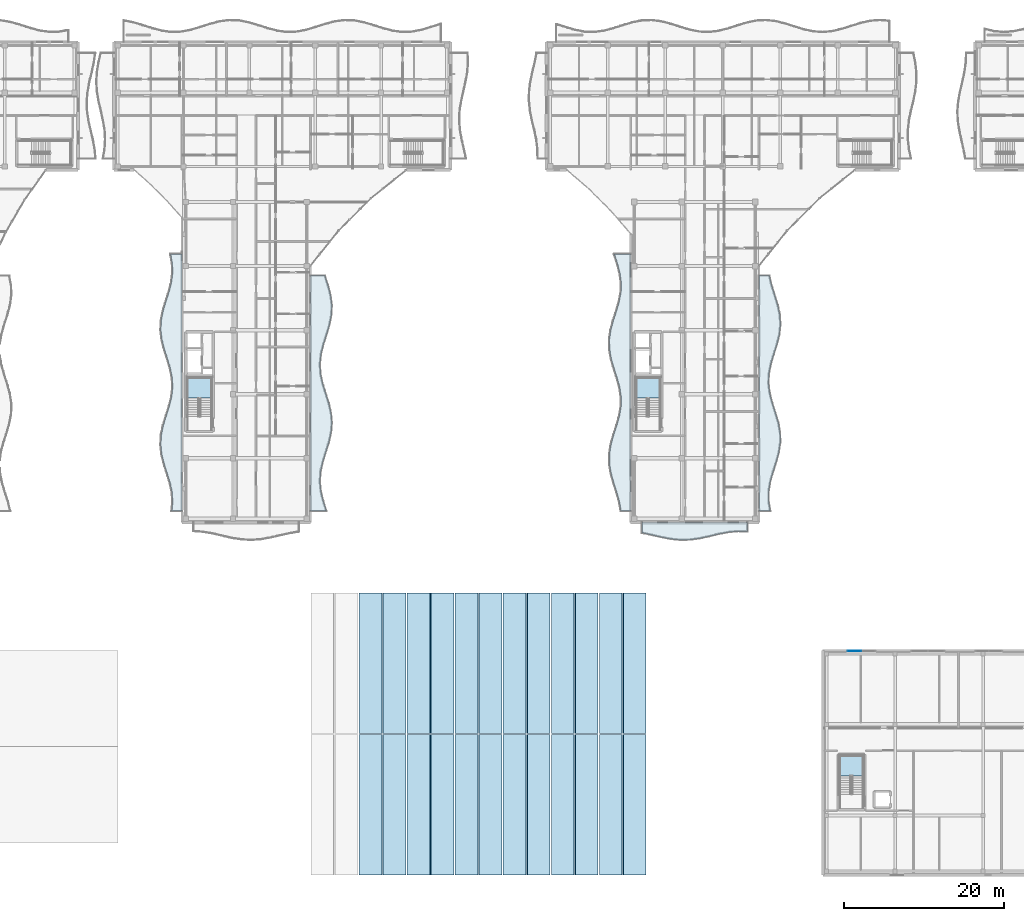
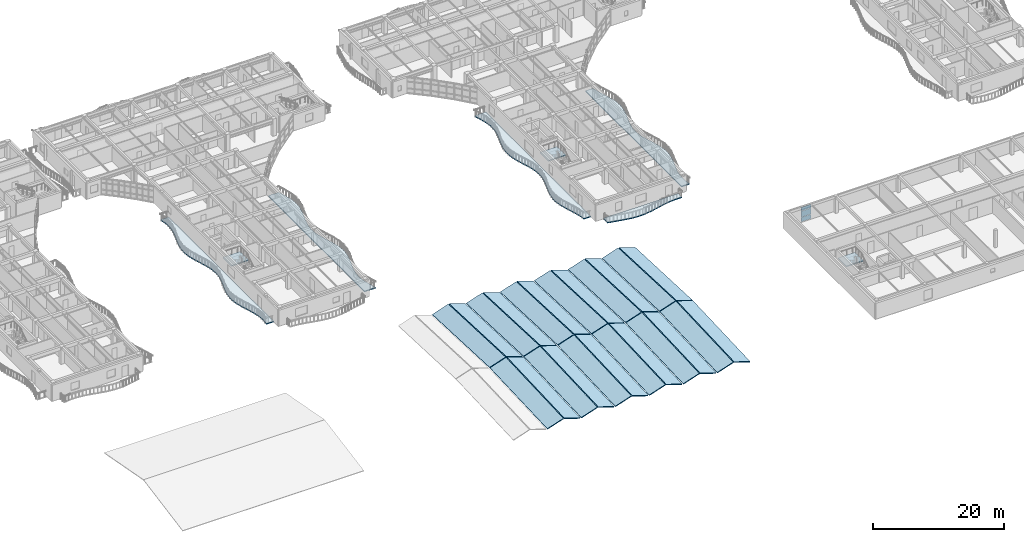
# One storey, part 37 of 89: 32 slabs, 3 plates, 5 elements without a shape of their own.
"""IFC4 building model written with IfcOpenShell, lengths in metres."""

from ifc_helpers import new_model, si_unit, direction, frame, origin, origin_2d, place, context, subcontext, project, spatial, polyline, rectangle, outline, extrude, material, layer, layer_set, type_object, element, aggregate, save


model = new_model("IFC4")

# Units and contexts
model_context = context("Model", 3, precision=1e-05, world=origin(), true_north=direction((0.0, 1.0)))
body_context = subcontext(model_context, "Body", "Model", "MODEL_VIEW")
ifc_project = project(units=[si_unit("LENGTHUNIT", "METRE"), si_unit("AREAUNIT", "SQUARE_METRE"), si_unit("VOLUMEUNIT", "CUBIC_METRE"), si_unit("PLANEANGLEUNIT", "RADIAN"), si_unit("MASSUNIT", "GRAM", prefix="KILO")], contexts=[model_context])

# Site, building, storey
site_placement = place(None, origin())
site = spatial("IfcSite", under=ifc_project, at=site_placement, CompositionType="ELEMENT")
building_placement = place(site_placement, origin())
building = spatial("IfcBuilding", under=site, at=building_placement, Name="Keldmere Railside Commons", CompositionType="ELEMENT")
storey_placement = place(building_placement, frame((0.0, 0.0, 7.360107421875)))
storey = spatial("IfcBuildingStorey", under=building, at=storey_placement, Name="L02", CompositionType="ELEMENT", Elevation=7.360107421875)

# Stair, slab
ifc_material_1 = material(Name="Concrete H-30 (C30/37)", Category="concrete")
stair_type_1 = type_object("IfcStairType", Name="Market Arcade Public Dogleg Stair 1420", PredefinedType="HALF_TURN_STAIR", material=ifc_material_1)
stair_1_placement = place(storey_placement, origin())
stair_1 = element("IfcStair", 1, at=stair_1_placement, inside=storey, type_object=stair_type_1, Name="L02 Market Arcade Escape Stair ST-M1", PredefinedType="HALF_TURN_STAIR")
ifc_layer_1 = layer(ifc_material_1, 0.2099609375, Name="Civic Stair Landing Slab 210")
ifc_layer_set_1 = layer_set([ifc_layer_1], Name="Concrete H-30 (C30/37)")
slab_type_1 = type_object("IfcSlabType", Name="Civic Stair Landing Slab 210", PredefinedType="LANDING", material=ifc_layer_set_1)
slab_1_placement = place(storey_placement, frame((0.0, 0.0, 1.39990234375)))
slab_1 = element("IfcSlab", 2, at=slab_1_placement, type_object=slab_type_1, Name="ST-M1 landing 1", PredefinedType="LANDING", context=body_context, shape_type="SweptSolid", body=[
    extrude(outline(polyline([(133.050048828125, 24.3701171875), (133.050048828125, 26.89990234375), (130.06005859375, 26.89990234375), (130.06005859375, 24.3701171875), (133.050048828125, 24.3701171875)])), origin(), (0.0, 0.0, 1.0), 0.199951171875),
])
aggregate(stair_1, [slab_1])

# Curtain wall, plates
ifc_material_2 = material(Name="Thermally Broken Aluminium", Category="aluminium")
ifc_layer_2 = layer(ifc_material_2, 0.159912109375, Name="Market Arcade Upper Gallery CW 3600x2800")
ifc_layer_set_2 = layer_set([ifc_layer_2], Name="Thermally Broken Aluminium")
curtain_wall_type = type_object("IfcCurtainWallType", Name="Market Arcade Upper Gallery CW 3600x2800", PredefinedType="NOTDEFINED", material=ifc_layer_set_2)
curtain_wall_placement = place(storey_placement, origin())
curtain_wall = element("IfcCurtainWall", 3, at=curtain_wall_placement, inside=storey, type_object=curtain_wall_type, Name="CW-03 CW-L02-224", PredefinedType="NOTDEFINED")
ifc_material_3 = material(Name="Low-E Insulated Double Glazing", Category="glass")
ifc_layer_3 = layer(ifc_material_3, 0.031982421875, Name="Clerestory Solar-Control Vision Panel 32")
ifc_layer_set_3 = layer_set([ifc_layer_3], Name="Low-E Insulated Double Glazing")
plate_type = type_object("IfcPlateType", Name="Clerestory Solar-Control Vision Panel 32", PredefinedType="CURTAIN_PANEL", material=ifc_layer_set_3)
plate_1_placement = place(storey_placement, frame((131.916259765625, 39.949951171875, 0.06494140625), z_axis=(0.0, 0.0, 1.0), x_axis=(1.0, 0.0, 0.0)))
plate_1 = element("IfcPlate", 4, at=plate_1_placement, type_object=plate_type, Name="CW-03 panel 1.1", PredefinedType="CURTAIN_PANEL", context=body_context, shape_type="SweptSolid", body=[
    extrude(rectangle(XDim=1.702392578125, YDim=0.031982421875, at=origin_2d()), origin(), (0.0, 0.0, 1.0), 0.802490234375),
])
plate_2_placement = place(storey_placement, frame((131.916259765625, 39.949951171875, 0.932373046875), z_axis=(0.0, 0.0, 1.0), x_axis=(1.0, 0.0, 0.0)))
plate_2 = element("IfcPlate", 5, at=plate_2_placement, type_object=plate_type, Name="CW-03 panel 1.2", PredefinedType="CURTAIN_PANEL", context=body_context, shape_type="SweptSolid", body=[
    extrude(rectangle(XDim=1.702392578125, YDim=0.031982421875, at=origin_2d()), origin(), (0.0, 0.0, 1.0), 1.0849609375),
])
plate_3_placement = place(storey_placement, frame((131.916259765625, 39.949951171875, 2.08251953125), z_axis=(0.0, 0.0, 1.0), x_axis=(1.0, 0.0, 0.0)))
plate_3 = element("IfcPlate", 6, at=plate_3_placement, type_object=plate_type, Name="CW-03 panel 1.3", PredefinedType="CURTAIN_PANEL", context=body_context, shape_type="SweptSolid", body=[
    extrude(rectangle(XDim=1.702392578125, YDim=0.031982421875, at=origin_2d()), origin(), (0.0, 0.0, 1.0), 0.652587890625),
])
aggregate(curtain_wall, [plate_1, plate_2, plate_3])

# Roof, slabs
ifc_material_4 = material(Name="Concrete H-35 (C35/45)", Category="concrete")
ifc_layer_4 = layer(ifc_material_4, 0.159912109375, Name="Community Hall Folded-Plate Roof Assembly")
ifc_layer_set_4 = layer_set([ifc_layer_4], Name="Concrete H-35 (C35/45)")
roof_type = type_object("IfcRoofType", Name="Community Hall Folded-Plate Roof Assembly", PredefinedType="BUTTERFLY_ROOF", material=ifc_layer_set_4)
roof_placement = place(storey_placement, origin())
roof = element("IfcRoof", 7, at=roof_placement, inside=storey, type_object=roof_type, Name="Roof Community Hall 7-Bay Folded Plate", PredefinedType="BUTTERFLY_ROOF")
ifc_layer_5 = layer(ifc_material_4, 0.159912109375, Name="Community Hall Folded-Plate Roof 160")
ifc_layer_set_5 = layer_set([ifc_layer_5], Name="Concrete H-35 (C35/45)")
slab_type_2 = type_object("IfcSlabType", Name="Community Hall Folded-Plate Roof 160", PredefinedType="ROOF", material=ifc_layer_set_5)
slab_2_placement = place(storey_placement, frame((70.080078125, 12.0, -0.283447265625), z_axis=(-0.31598187883, -0.040395173222, 0.947904890921), x_axis=(0.948679240049, -1.561474e-06, 0.316239939758)))
slab_2 = element("IfcSlab", 8, at=slab_2_placement, type_object=slab_type_2, Name="Roof Folded-Plate Facet FP-B2-WS", PredefinedType="ROOF", context=body_context, shape_type="SweptSolid", body=[
    extrude(outline(polyline([(0.0, 0.0), (2.9934324137423065, -6.938893903907228e-18), (3.229890109467513, 17.55925910379295), (0.236380488708664, 17.559249747700267), (0.0, 0.0)])), origin(), (0.0, 0.0, -1.0), 0.159912109375),
])
slab_3_placement = place(storey_placement, frame((73.080078125, 12.0, 0.6630859375), z_axis=(0.31598187883, -0.040395173222, 0.947904890921), x_axis=(0.948679240049, 1.561474e-06, -0.316239939758)))
slab_3 = element("IfcSlab", 9, at=slab_3_placement, type_object=slab_type_2, Name="Roof Folded-Plate Facet FP-B2-ES", PredefinedType="ROOF", context=body_context, shape_type="SweptSolid", body=[
    extrude(outline(polyline([(0.0, 0.0), (2.9934324137423065, 6.938893903907228e-18), (2.7570519250336423, 17.559249747700267), (-0.2364576957252065, 17.55925910379295), (0.0, 0.0)])), origin(), (0.0, 0.0, -1.0), 0.159912109375),
])
slab_4_placement = place(storey_placement, frame((70.080078125, 29.655029296875, 0.464111328125), z_axis=(-0.31598187883, 0.040395173222, 0.947904890921), x_axis=(0.948679200122, -1.561434e-06, 0.316240059532)))
slab_4 = element("IfcSlab", 10, at=slab_4_placement, type_object=slab_type_2, Name="Roof Folded-Plate Facet FP-B2-WN", PredefinedType="ROOF", context=body_context, shape_type="SweptSolid", body=[
    extrude(outline(polyline([(0.0, 0.0), (2.9935096207734695, 6.938893903907228e-18), (2.75699704429858, 17.559258364668263), (-0.23643536942910542, 17.55924900881689), (0.0, 0.0)])), origin(), (0.0, 0.0, -1.0), 0.159912109375),
])
slab_5_placement = place(storey_placement, frame((73.080078125, 29.655029296875, 1.410888671875), z_axis=(0.31598187883, 0.040395173222, 0.947904890921), x_axis=(0.948679200122, 1.561434e-06, -0.316240059532)))
slab_5 = element("IfcSlab", 11, at=slab_5_placement, type_object=slab_type_2, Name="Roof Folded-Plate Facet FP-B2-EN", PredefinedType="ROOF", context=body_context, shape_type="SweptSolid", body=[
    extrude(outline(polyline([(0.0, 0.0), (2.9935096207734695, -6.938893903907228e-18), (3.229944990202575, 17.55924900881689), (0.23651257647488963, 17.559258364668267), (0.0, 0.0)])), origin(), (0.0, 0.0, -1.0), 0.159912109375),
])
slab_6_placement = place(storey_placement, frame((76.080078125, 12.0, -0.283447265625), z_axis=(-0.31598187883, -0.040395173222, 0.947904890921), x_axis=(0.948679240049, -1.561474e-06, 0.316239939758)))
slab_6 = element("IfcSlab", 12, at=slab_6_placement, type_object=slab_type_2, Name="Roof Folded-Plate Facet FP-B3-WS", PredefinedType="ROOF", context=body_context, shape_type="SweptSolid", body=[
    extrude(outline(polyline([(0.0, 0.0), (2.9934324137423065, -6.938893903907228e-18), (3.229890109467513, 17.55925910379295), (0.236380488708664, 17.559249747700267), (0.0, 0.0)])), origin(), (0.0, 0.0, -1.0), 0.159912109375),
])
slab_7_placement = place(storey_placement, frame((79.080078125, 12.0, 0.6630859375), z_axis=(0.31598187883, -0.040395173222, 0.947904890921), x_axis=(0.948679240049, 1.561474e-06, -0.316239939758)))
slab_7 = element("IfcSlab", 13, at=slab_7_placement, type_object=slab_type_2, Name="Roof Folded-Plate Facet FP-B3-ES", PredefinedType="ROOF", context=body_context, shape_type="SweptSolid", body=[
    extrude(outline(polyline([(0.0, 0.0), (2.9934324137423065, 6.938893903907228e-18), (2.7570519250336423, 17.559249747700267), (-0.2364576957252065, 17.55925910379295), (0.0, 0.0)])), origin(), (0.0, 0.0, -1.0), 0.159912109375),
])
slab_8_placement = place(storey_placement, frame((76.080078125, 29.655029296875, 0.464111328125), z_axis=(-0.31598187883, 0.040395173222, 0.947904890921), x_axis=(0.948679200122, -1.561434e-06, 0.316240059532)))
slab_8 = element("IfcSlab", 14, at=slab_8_placement, type_object=slab_type_2, Name="Roof Folded-Plate Facet FP-B3-WN", PredefinedType="ROOF", context=body_context, shape_type="SweptSolid", body=[
    extrude(outline(polyline([(0.0, 0.0), (2.9935096207734695, 6.938893903907228e-18), (2.75699704429858, 17.559258364668263), (-0.23643536942910542, 17.55924900881689), (0.0, 0.0)])), origin(), (0.0, 0.0, -1.0), 0.159912109375),
])
slab_9_placement = place(storey_placement, frame((79.080078125, 29.655029296875, 1.410888671875), z_axis=(0.31598187883, 0.040395173222, 0.947904890921), x_axis=(0.948679200122, 1.561434e-06, -0.316240059532)))
slab_9 = element("IfcSlab", 15, at=slab_9_placement, type_object=slab_type_2, Name="Roof Folded-Plate Facet FP-B3-EN", PredefinedType="ROOF", context=body_context, shape_type="SweptSolid", body=[
    extrude(outline(polyline([(0.0, 0.0), (2.9935096207734695, -6.938893903907228e-18), (3.229944990202575, 17.55924900881689), (0.23651257647488963, 17.559258364668267), (0.0, 0.0)])), origin(), (0.0, 0.0, -1.0), 0.159912109375),
])
slab_10_placement = place(storey_placement, frame((82.080078125, 12.0, -0.283447265625), z_axis=(-0.31598187883, -0.040395173222, 0.947904890921), x_axis=(0.948679240049, -1.561474e-06, 0.316239939758)))
slab_10 = element("IfcSlab", 16, at=slab_10_placement, type_object=slab_type_2, Name="Roof Folded-Plate Facet FP-B4-WS", PredefinedType="ROOF", context=body_context, shape_type="SweptSolid", body=[
    extrude(outline(polyline([(0.0, 0.0), (2.9934324137423065, -6.938893903907228e-18), (3.229890109467513, 17.55925910379295), (0.236380488708664, 17.559249747700267), (0.0, 0.0)])), origin(), (0.0, 0.0, -1.0), 0.159912109375),
])
slab_11_placement = place(storey_placement, frame((85.080078125, 12.0, 0.6630859375), z_axis=(0.31598187883, -0.040395173222, 0.947904890921), x_axis=(0.948679240049, 1.561474e-06, -0.316239939758)))
slab_11 = element("IfcSlab", 17, at=slab_11_placement, type_object=slab_type_2, Name="Roof Folded-Plate Facet FP-B4-ES", PredefinedType="ROOF", context=body_context, shape_type="SweptSolid", body=[
    extrude(outline(polyline([(0.0, 0.0), (2.9934324137423065, 6.938893903907228e-18), (2.7570519250336423, 17.559249747700267), (-0.2364576957252065, 17.55925910379295), (0.0, 0.0)])), origin(), (0.0, 0.0, -1.0), 0.159912109375),
])
slab_12_placement = place(storey_placement, frame((82.080078125, 29.655029296875, 0.464111328125), z_axis=(-0.31598187883, 0.040395173222, 0.947904890921), x_axis=(0.948679200122, -1.561434e-06, 0.316240059532)))
slab_12 = element("IfcSlab", 18, at=slab_12_placement, type_object=slab_type_2, Name="Roof Folded-Plate Facet FP-B4-WN", PredefinedType="ROOF", context=body_context, shape_type="SweptSolid", body=[
    extrude(outline(polyline([(0.0, 0.0), (2.9935096207734695, 6.938893903907228e-18), (2.75699704429858, 17.559258364668263), (-0.23643536942910542, 17.55924900881689), (0.0, 0.0)])), origin(), (0.0, 0.0, -1.0), 0.159912109375),
])
slab_13_placement = place(storey_placement, frame((85.080078125, 29.655029296875, 1.410888671875), z_axis=(0.31598187883, 0.040395173222, 0.947904890921), x_axis=(0.948679200122, 1.561434e-06, -0.316240059532)))
slab_13 = element("IfcSlab", 19, at=slab_13_placement, type_object=slab_type_2, Name="Roof Folded-Plate Facet FP-B4-EN", PredefinedType="ROOF", context=body_context, shape_type="SweptSolid", body=[
    extrude(outline(polyline([(0.0, 0.0), (2.9935096207734695, -6.938893903907228e-18), (3.229944990202575, 17.55924900881689), (0.23651257647488963, 17.559258364668267), (0.0, 0.0)])), origin(), (0.0, 0.0, -1.0), 0.159912109375),
])
slab_14_placement = place(storey_placement, frame((88.080078125, 12.0, -0.283447265625), z_axis=(-0.31598187883, -0.040395173222, 0.947904890921), x_axis=(0.948679240049, -1.561474e-06, 0.316239939758)))
slab_14 = element("IfcSlab", 20, at=slab_14_placement, type_object=slab_type_2, Name="Roof Folded-Plate Facet FP-B5-WS", PredefinedType="ROOF", context=body_context, shape_type="SweptSolid", body=[
    extrude(outline(polyline([(0.0, 0.0), (2.9934324137423065, -6.938893903907228e-18), (3.229890109467513, 17.55925910379295), (0.236380488708664, 17.559249747700267), (0.0, 0.0)])), origin(), (0.0, 0.0, -1.0), 0.159912109375),
])
slab_15_placement = place(storey_placement, frame((91.080078125, 12.0, 0.6630859375), z_axis=(0.31598187883, -0.040395173222, 0.947904890921), x_axis=(0.948679240049, 1.561474e-06, -0.316239939758)))
slab_15 = element("IfcSlab", 21, at=slab_15_placement, type_object=slab_type_2, Name="Roof Folded-Plate Facet FP-B5-ES", PredefinedType="ROOF", context=body_context, shape_type="SweptSolid", body=[
    extrude(outline(polyline([(0.0, 0.0), (2.9934324137423065, 6.938893903907228e-18), (2.7570519250336423, 17.559249747700267), (-0.2364576957252065, 17.55925910379295), (0.0, 0.0)])), origin(), (0.0, 0.0, -1.0), 0.159912109375),
])
slab_16_placement = place(storey_placement, frame((88.080078125, 29.655029296875, 0.464111328125), z_axis=(-0.31598187883, 0.040395173222, 0.947904890921), x_axis=(0.948679200122, -1.561434e-06, 0.316240059532)))
slab_16 = element("IfcSlab", 22, at=slab_16_placement, type_object=slab_type_2, Name="Roof Folded-Plate Facet FP-B5-WN", PredefinedType="ROOF", context=body_context, shape_type="SweptSolid", body=[
    extrude(outline(polyline([(0.0, 0.0), (2.9935096207734695, 6.938893903907228e-18), (2.75699704429858, 17.559258364668263), (-0.23643536942910542, 17.55924900881689), (0.0, 0.0)])), origin(), (0.0, 0.0, -1.0), 0.159912109375),
])
slab_17_placement = place(storey_placement, frame((91.080078125, 29.655029296875, 1.410888671875), z_axis=(0.31598187883, 0.040395173222, 0.947904890921), x_axis=(0.948679200122, 1.561434e-06, -0.316240059532)))
slab_17 = element("IfcSlab", 23, at=slab_17_placement, type_object=slab_type_2, Name="Roof Folded-Plate Facet FP-B5-EN", PredefinedType="ROOF", context=body_context, shape_type="SweptSolid", body=[
    extrude(outline(polyline([(0.0, 0.0), (2.9935096207734695, -6.938893903907228e-18), (3.229944990202575, 17.55924900881689), (0.23651257647488963, 17.559258364668267), (0.0, 0.0)])), origin(), (0.0, 0.0, -1.0), 0.159912109375),
])
slab_18_placement = place(storey_placement, frame((94.080078125, 12.0, -0.283447265625), z_axis=(-0.31598187883, -0.040395173222, 0.947904890921), x_axis=(0.948679240049, -1.561474e-06, 0.316239939758)))
slab_18 = element("IfcSlab", 24, at=slab_18_placement, type_object=slab_type_2, Name="Roof Folded-Plate Facet FP-B6-WS", PredefinedType="ROOF", context=body_context, shape_type="SweptSolid", body=[
    extrude(outline(polyline([(0.0, 0.0), (2.9934324137423065, -6.938893903907228e-18), (3.229890109467513, 17.55925910379295), (0.236380488708664, 17.559249747700267), (0.0, 0.0)])), origin(), (0.0, 0.0, -1.0), 0.159912109375),
])
slab_19_placement = place(storey_placement, frame((97.080078125, 12.0, 0.6630859375), z_axis=(0.31598187883, -0.040395173222, 0.947904890921), x_axis=(0.948679240049, 1.561474e-06, -0.316239939758)))
slab_19 = element("IfcSlab", 25, at=slab_19_placement, type_object=slab_type_2, Name="Roof Folded-Plate Facet FP-B6-ES", PredefinedType="ROOF", context=body_context, shape_type="SweptSolid", body=[
    extrude(outline(polyline([(0.0, 0.0), (2.9934324137423065, 6.938893903907228e-18), (2.7570519250336423, 17.559249747700267), (-0.2364576957252065, 17.55925910379295), (0.0, 0.0)])), origin(), (0.0, 0.0, -1.0), 0.159912109375),
])
slab_20_placement = place(storey_placement, frame((94.080078125, 29.655029296875, 0.464111328125), z_axis=(-0.31598187883, 0.040395173222, 0.947904890921), x_axis=(0.948679200122, -1.561434e-06, 0.316240059532)))
slab_20 = element("IfcSlab", 26, at=slab_20_placement, type_object=slab_type_2, Name="Roof Folded-Plate Facet FP-B6-WN", PredefinedType="ROOF", context=body_context, shape_type="SweptSolid", body=[
    extrude(outline(polyline([(0.0, 0.0), (2.9935096207734695, 6.938893903907228e-18), (2.75699704429858, 17.559258364668263), (-0.23643536942910542, 17.55924900881689), (0.0, 0.0)])), origin(), (0.0, 0.0, -1.0), 0.159912109375),
])
slab_21_placement = place(storey_placement, frame((97.080078125, 29.655029296875, 1.410888671875), z_axis=(0.31598187883, 0.040395173222, 0.947904890921), x_axis=(0.948679200122, 1.561434e-06, -0.316240059532)))
slab_21 = element("IfcSlab", 27, at=slab_21_placement, type_object=slab_type_2, Name="Roof Folded-Plate Facet FP-B6-EN", PredefinedType="ROOF", context=body_context, shape_type="SweptSolid", body=[
    extrude(outline(polyline([(0.0, 0.0), (2.9935096207734695, -6.938893903907228e-18), (3.229944990202575, 17.55924900881689), (0.23651257647488963, 17.559258364668267), (0.0, 0.0)])), origin(), (0.0, 0.0, -1.0), 0.159912109375),
])
slab_22_placement = place(storey_placement, frame((100.080078125, 12.0, -0.283447265625), z_axis=(-0.31598187883, -0.040395173222, 0.947904890921), x_axis=(0.948679240049, -1.561474e-06, 0.316239939758)))
slab_22 = element("IfcSlab", 28, at=slab_22_placement, type_object=slab_type_2, Name="Roof Folded-Plate Facet FP-B7-WS", PredefinedType="ROOF", context=body_context, shape_type="SweptSolid", body=[
    extrude(outline(polyline([(0.0, 0.0), (2.9934324137423065, -6.938893903907228e-18), (3.229890109467513, 17.55925910379295), (0.236380488708664, 17.559249747700267), (0.0, 0.0)])), origin(), (0.0, 0.0, -1.0), 0.159912109375),
])
slab_23_placement = place(storey_placement, frame((103.080078125, 12.0, 0.6630859375), z_axis=(0.31598187883, -0.040395173222, 0.947904890921), x_axis=(0.948679240049, 1.561474e-06, -0.316239939758)))
slab_23 = element("IfcSlab", 29, at=slab_23_placement, type_object=slab_type_2, Name="Roof Folded-Plate Facet FP-B7-ES", PredefinedType="ROOF", context=body_context, shape_type="SweptSolid", body=[
    extrude(outline(polyline([(0.0, 0.0), (2.9934324137423065, 6.938893903907228e-18), (2.7570519250336423, 17.559249747700267), (-0.2364576957252065, 17.55925910379295), (0.0, 0.0)])), origin(), (0.0, 0.0, -1.0), 0.159912109375),
])
slab_24_placement = place(storey_placement, frame((100.080078125, 29.655029296875, 0.464111328125), z_axis=(-0.31598187883, 0.040395173222, 0.947904890921), x_axis=(0.948679200122, -1.561434e-06, 0.316240059532)))
slab_24 = element("IfcSlab", 30, at=slab_24_placement, type_object=slab_type_2, Name="Roof Folded-Plate Facet FP-B7-WN", PredefinedType="ROOF", context=body_context, shape_type="SweptSolid", body=[
    extrude(outline(polyline([(0.0, 0.0), (2.9935096207734695, 6.938893903907228e-18), (2.75699704429858, 17.559258364668263), (-0.23643536942910542, 17.55924900881689), (0.0, 0.0)])), origin(), (0.0, 0.0, -1.0), 0.159912109375),
])
slab_25_placement = place(storey_placement, frame((103.080078125, 29.655029296875, 1.410888671875), z_axis=(0.31598187883, 0.040395173222, 0.947904890921), x_axis=(0.948679200122, 1.561434e-06, -0.316240059532)))
slab_25 = element("IfcSlab", 31, at=slab_25_placement, type_object=slab_type_2, Name="Roof Folded-Plate Facet FP-B7-EN", PredefinedType="ROOF", context=body_context, shape_type="SweptSolid", body=[
    extrude(outline(polyline([(0.0, 0.0), (2.9935096207734695, -6.938893903907228e-18), (3.229944990202575, 17.55924900881689), (0.23651257647488963, 17.559258364668267), (0.0, 0.0)])), origin(), (0.0, 0.0, -1.0), 0.159912109375),
])
aggregate(roof, [slab_2, slab_3, slab_4, slab_5, slab_6, slab_7, slab_8, slab_9, slab_10, slab_11, slab_12, slab_13, slab_14, slab_15, slab_16, slab_17, slab_18, slab_19, slab_20, slab_21, slab_22, slab_23, slab_24, slab_25])

# Stair, slab
stair_type_2 = type_object("IfcStairType", Name="Residential Core Dogleg Stair 1450", PredefinedType="HALF_TURN_STAIR", material=ifc_material_1)
stair_2_placement = place(storey_placement, origin())
stair_2 = element("IfcStair", 32, at=stair_2_placement, inside=storey, type_object=stair_type_2, Name="L02 Block C Primary Escape Stair 1", PredefinedType="HALF_TURN_STAIR")
ifc_layer_6 = layer(ifc_material_1, 0.199951171875, Name="Enclosed Stair Landing Slab 200")
ifc_layer_set_6 = layer_set([ifc_layer_6], Name="Concrete H-30 (C30/37)")
slab_type_3 = type_object("IfcSlabType", Name="Enclosed Stair Landing Slab 200", PredefinedType="LANDING", material=ifc_layer_set_6)
slab_26_placement = place(storey_placement, frame((0.0, 0.0, 1.39990234375)))
slab_26 = element("IfcSlab", 33, at=slab_26_placement, type_object=slab_type_3, Name="ST-C1 landing 1", PredefinedType="LANDING", context=body_context, shape_type="SweptSolid", body=[
    extrude(outline(polyline([(51.699951171875, 71.52001953125), (51.699951171875, 74.10009765625), (48.64990234375, 74.10009765625), (48.64990234375, 71.52001953125), (51.699951171875, 71.52001953125)])), origin(), (0.0, 0.0, 1.0), 0.199951171875),
])
aggregate(stair_2, [slab_26])

stair_type_3 = type_object("IfcStairType", Name="Basement Garage Dogleg Escape Stair 1450", PredefinedType="HALF_TURN_STAIR", material=ifc_material_1)
stair_3_placement = place(storey_placement, origin())
stair_3 = element("IfcStair", 34, at=stair_3_placement, inside=storey, type_object=stair_type_3, Name="L02 Block B Primary Escape Stair 1", PredefinedType="HALF_TURN_STAIR")
slab_27_placement = place(storey_placement, frame((0.0, 0.0, 1.39990234375)))
slab_27 = element("IfcSlab", 35, at=slab_27_placement, type_object=slab_type_3, Name="ST-B1 landing 1", PredefinedType="LANDING", context=body_context, shape_type="SweptSolid", body=[
    extrude(outline(polyline([(107.699951171875, 71.52001953125), (107.699951171875, 74.10009765625), (104.64990234375, 74.10009765625), (104.64990234375, 71.52001953125), (107.699951171875, 71.52001953125)])), origin(), (0.0, 0.0, 1.0), 0.199951171875),
])
aggregate(stair_3, [slab_27])

# Slabs
ifc_material_5 = material(Name="White Precast Concrete H-35 (C35/45)", Category="concrete")
ifc_layer_7 = layer(ifc_material_5, 0.179931640625, Name="Sinusoidal Wave Balcony Slab 180")
ifc_layer_set_7 = layer_set([ifc_layer_7], Name="White Precast Concrete H-35 (C35/45)")
slab_type_4 = type_object("IfcSlabType", Name="Sinusoidal Wave Balcony Slab 180", PredefinedType="FLOOR", material=ifc_layer_set_7)
slab_28_placement = place(storey_placement, frame((0.0, 0.0, -0.18017578125)))
element("IfcSlab", 36, at=slab_28_placement, inside=storey, type_object=slab_type_4, Name="WB-1 C L02 CE Wave Balcony", PredefinedType="FLOOR", context=body_context, shape_type="SweptSolid", body=[
    extrude(outline(polyline([(66.0185546875, 57.39990234375), (65.628662109375, 58.625), (65.328125, 59.85009765625), (65.201416015625, 61.074951171875), (65.283203125, 62.300048828125), (65.55126953125, 63.52490234375), (65.930419921875, 64.75), (66.315185546875, 65.97509765625), (66.597900390625, 67.199951171875), (66.699951171875, 68.425048828125), (66.593017578125, 69.64990234375), (66.306396484375, 70.875), (65.92041015625, 72.10009765625), (65.54296875, 73.324951171875), (65.27880859375, 74.550048828125), (65.201904296875, 75.77490234375), (65.333740234375, 77.0), (65.637451171875, 78.22509765625), (66.0283203125, 79.449951171875), (66.3974609375, 80.675048828125), (66.6416015625, 81.89990234375), (66.69287109375, 83.125), (66.536865234375, 84.35009765625), (66.21728515625, 85.574951171875), (65.822998046875, 86.800048828125), (64.0, 86.800048828125), (64.0, 85.574951171875), (64.0, 84.35009765625), (64.0, 83.125), (64.0, 81.89990234375), (64.0, 80.675048828125), (64.0, 79.449951171875), (64.0, 78.22509765625), (64.0, 77.0), (64.0, 75.77490234375), (64.0, 74.550048828125), (64.0, 73.324951171875), (64.0, 72.10009765625), (64.0, 70.875), (64.0, 69.64990234375), (64.0, 68.425048828125), (64.0, 67.199951171875), (64.0, 65.97509765625), (64.0, 64.75), (64.0, 63.52490234375), (64.0, 62.300048828125), (64.0, 61.074951171875), (64.0, 59.85009765625), (64.0, 58.625), (64.0, 57.39990234375), (66.0185546875, 57.39990234375)])), origin(), (0.0, 0.0, 1.0), 0.18017578125),
])
slab_29_placement = place(storey_placement, frame((0.0, 0.0, -0.18017578125)))
element("IfcSlab", 37, at=slab_29_placement, inside=storey, type_object=slab_type_4, Name="WB-1 C L02 CW Wave Balcony", PredefinedType="FLOOR", context=body_context, shape_type="SweptSolid", body=[
    extrude(outline(polyline([(48.0, 57.39990234375), (48.0, 58.5888671875), (48.0, 59.77783203125), (48.0, 60.966796875), (48.0, 62.155517578125), (48.0, 63.344482421875), (48.0, 64.533203125), (48.0, 65.72216796875), (48.0, 66.9111328125), (48.0, 68.10009765625), (48.0, 69.288818359375), (48.0, 70.477783203125), (48.0, 71.666748046875), (48.0, 72.855712890625), (48.0, 74.04443359375), (48.0, 75.2333984375), (48.0, 76.422119140625), (48.0, 77.611083984375), (48.0, 78.800048828125), (48.0, 79.989013671875), (48.0, 81.177734375), (48.0, 82.36669921875), (48.0, 83.5556640625), (48.0, 84.744384765625), (48.0, 85.933349609375), (48.0, 87.122314453125), (48.0, 88.31103515625), (48.0, 89.5), (46.529296875, 89.5), (46.752197265625, 88.31103515625), (46.790283203125, 87.122314453125), (46.6337890625, 85.933349609375), (46.323486328125, 84.744384765625), (45.94140625, 83.5556640625), (45.587646484375, 82.36669921875), (45.355712890625, 81.177734375), (45.306396484375, 79.989013671875), (45.452880859375, 78.800048828125), (45.75634765625, 77.611083984375), (46.13720703125, 76.422119140625), (46.4951171875, 75.2333984375), (46.73583984375, 74.04443359375), (46.796142578125, 72.855712890625), (46.66015625, 71.666748046875), (46.36376953125, 70.477783203125), (45.984619140625, 69.288818359375), (45.622802734375, 68.10009765625), (45.373291015625, 66.9111328125), (45.302001953125, 65.72216796875), (45.427490234375, 64.533203125), (45.716796875, 63.344482421875), (46.093505859375, 62.155517578125), (46.458984375, 60.966796875), (46.716796875, 59.77783203125), (46.79931640625, 58.5888671875), (46.6845703125, 57.39990234375), (48.0, 57.39990234375)])), origin(), (0.0, 0.0, 1.0), 0.18017578125),
])
slab_30_placement = place(storey_placement, frame((0.0, 0.0, -0.18017578125)))
element("IfcSlab", 38, at=slab_30_placement, inside=storey, type_object=slab_type_4, Name="WB-1 B L02 CE Wave Balcony", PredefinedType="FLOOR", context=body_context, shape_type="SweptSolid", body=[
    extrude(outline(polyline([(121.43408203125, 57.39990234375), (121.228759765625, 58.625), (121.224609375, 59.85009765625), (121.422607421875, 61.074951171875), (121.76806640625, 62.300048828125), (122.1640625, 63.52490234375), (122.500244140625, 64.75), (122.68310546875, 65.97509765625), (122.661376953125, 67.199951171875), (122.44140625, 68.425048828125), (122.083984375, 69.64990234375), (121.689453125, 70.875), (121.367431640625, 72.10009765625), (121.2080078125, 73.324951171875), (121.255615234375, 74.550048828125), (121.496826171875, 75.77490234375), (121.864501953125, 77.0), (122.256103515625, 78.22509765625), (122.56201171875, 79.449951171875), (122.697509765625, 80.675048828125), (122.62451171875, 81.89990234375), (122.363037109375, 83.125), (121.986572265625, 84.35009765625), (121.599853515625, 85.574951171875), (121.310791015625, 86.800048828125), (120.0, 86.800048828125), (120.0, 85.574951171875), (120.0, 84.35009765625), (120.0, 83.125), (120.0, 81.89990234375), (120.0, 80.675048828125), (120.0, 79.449951171875), (120.0, 78.22509765625), (120.0, 77.0), (120.0, 75.77490234375), (120.0, 74.550048828125), (120.0, 73.324951171875), (120.0, 72.10009765625), (120.0, 70.875), (120.0, 69.64990234375), (120.0, 68.425048828125), (120.0, 67.199951171875), (120.0, 65.97509765625), (120.0, 64.75), (120.0, 63.52490234375), (120.0, 62.300048828125), (120.0, 61.074951171875), (120.0, 59.85009765625), (120.0, 58.625), (120.0, 57.39990234375), (121.43408203125, 57.39990234375)])), origin(), (0.0, 0.0, 1.0), 0.18017578125),
])
slab_31_placement = place(storey_placement, frame((0.0, 0.0, -0.18017578125)))
element("IfcSlab", 39, at=slab_31_placement, inside=storey, type_object=slab_type_4, Name="WB-1 B L02 CW Wave Balcony", PredefinedType="FLOOR", context=body_context, shape_type="SweptSolid", body=[
    extrude(outline(polyline([(104.0, 57.39990234375), (104.0, 58.5888671875), (104.0, 59.77783203125), (104.0, 60.966796875), (104.0, 62.155517578125), (104.0, 63.344482421875), (104.0, 64.533203125), (104.0, 65.72216796875), (104.0, 66.9111328125), (104.0, 68.10009765625), (104.0, 69.288818359375), (104.0, 70.477783203125), (104.0, 71.666748046875), (104.0, 72.855712890625), (104.0, 74.04443359375), (104.0, 75.2333984375), (104.0, 76.422119140625), (104.0, 77.611083984375), (104.0, 78.800048828125), (104.0, 79.989013671875), (104.0, 81.177734375), (104.0, 82.36669921875), (104.0, 83.5556640625), (104.0, 84.744384765625), (104.0, 85.933349609375), (104.0, 87.122314453125), (104.0, 88.31103515625), (104.0, 89.5), (101.932861328125, 89.5), (102.315673828125, 88.31103515625), (102.62841796875, 87.122314453125), (102.7890625, 85.933349609375), (102.755126953125, 84.744384765625), (102.535888671875, 83.5556640625), (102.188720703125, 82.36669921875), (101.804931640625, 81.177734375), (101.485595703125, 79.989013671875), (101.31494140625, 78.800048828125), (101.337646484375, 77.611083984375), (101.5478515625, 76.422119140625), (101.89013671875, 75.2333984375), (102.2744140625, 74.04443359375), (102.599609375, 72.855712890625), (102.7802734375, 71.666748046875), (102.768798828125, 70.477783203125), (102.568115234375, 69.288818359375), (102.231201171875, 68.10009765625), (101.846435546875, 66.9111328125), (101.515380859375, 65.72216796875), (101.324951171875, 64.533203125), (101.3251953125, 63.344482421875), (101.516357421875, 62.155517578125), (101.84765625, 60.966796875), (102.232421875, 59.77783203125), (102.569091796875, 58.5888671875), (102.769287109375, 57.39990234375), (104.0, 57.39990234375)])), origin(), (0.0, 0.0, 1.0), 0.18017578125),
])
slab_32_placement = place(storey_placement, frame((0.0, 0.0, -0.18017578125)))
element("IfcSlab", 40, at=slab_32_placement, inside=storey, type_object=slab_type_4, Name="WB-1 B L02 S Wave Balcony", PredefinedType="FLOOR", context=body_context, shape_type="SweptSolid", body=[
    extrude(outline(polyline([(105.39990234375, 54.697265625), (106.60009765625, 54.4375), (107.800048828125, 54.154296875), (109.0, 53.92333984375), (110.199951171875, 53.806884765625), (111.39990234375, 53.8359375), (112.60009765625, 54.002685546875), (113.800048828125, 54.2626953125), (115.0, 54.5458984375), (116.199951171875, 54.776611328125), (117.39990234375, 54.89306640625), (118.60009765625, 54.864013671875), (118.60009765625, 56.0), (117.39990234375, 56.0), (116.199951171875, 56.0), (115.0, 56.0), (113.800048828125, 56.0), (112.60009765625, 56.0), (111.39990234375, 56.0), (110.199951171875, 56.0), (109.0, 56.0), (107.800048828125, 56.0), (106.60009765625, 56.0), (105.39990234375, 56.0), (105.39990234375, 54.697265625)])), origin(), (0.0, 0.0, 1.0), 0.18017578125),
])

save(model, "model.ifc")
